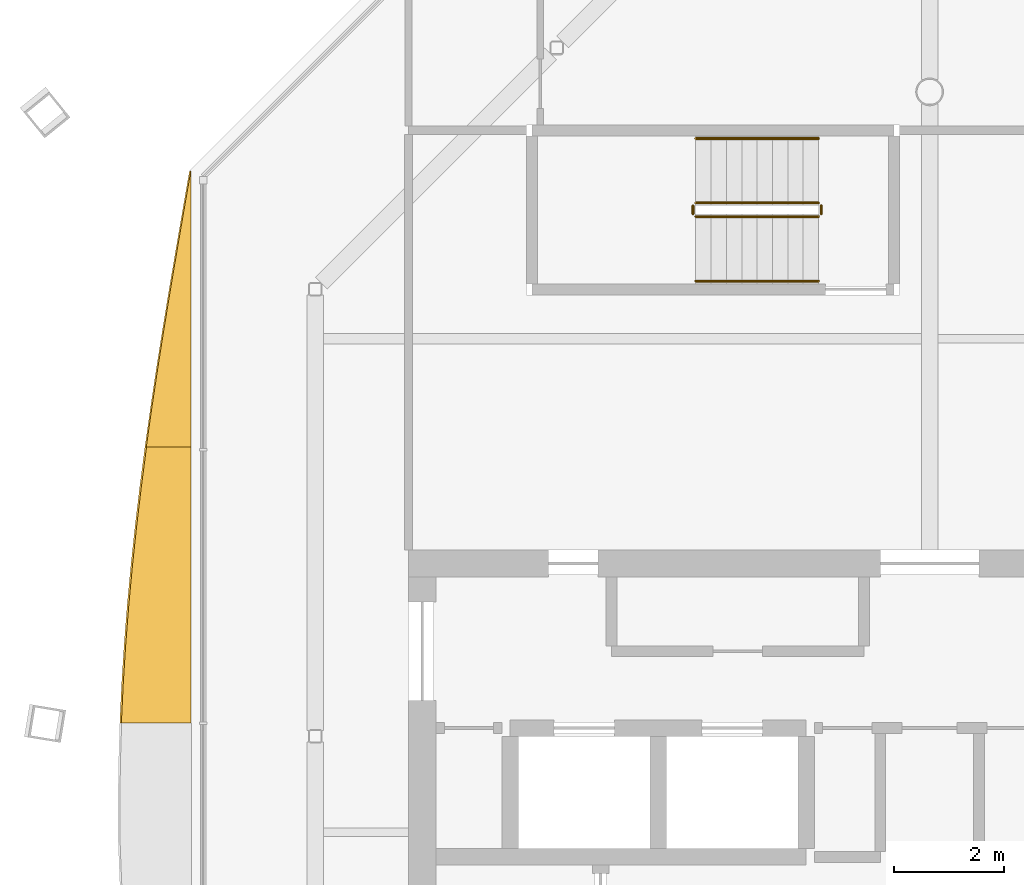
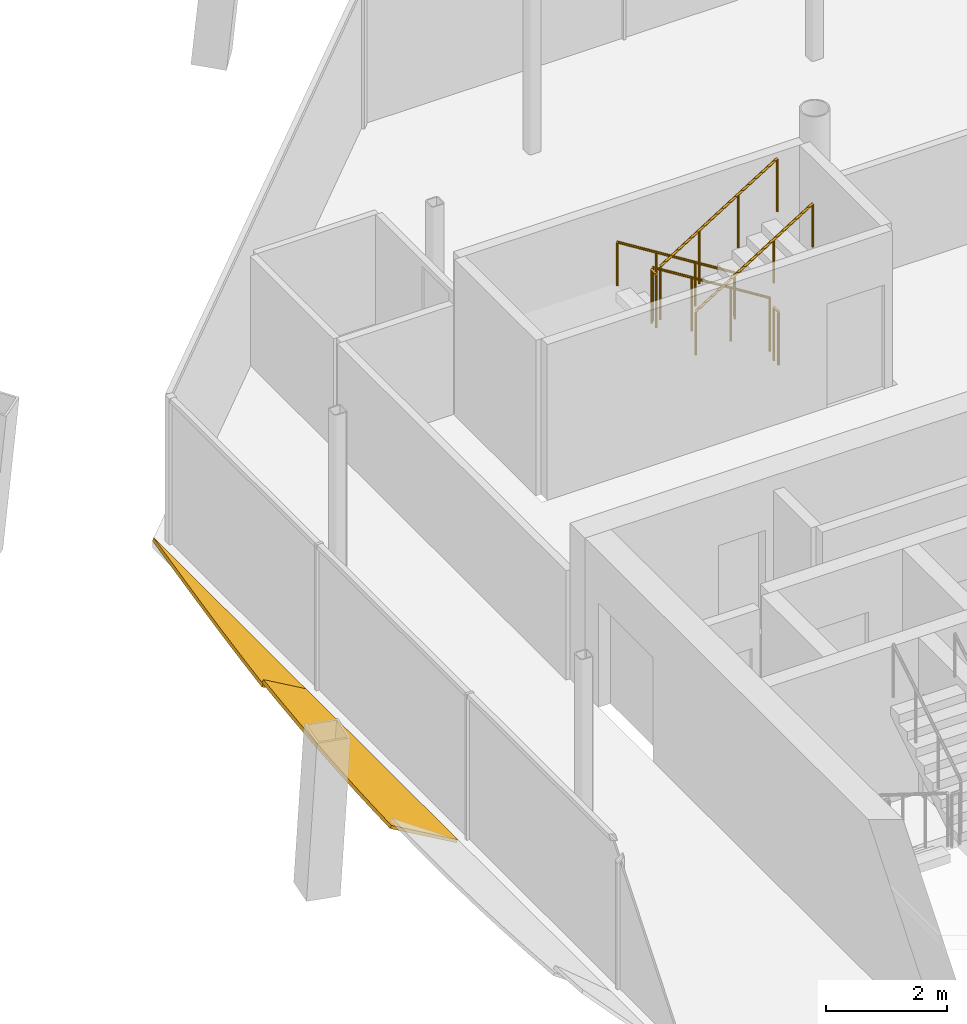
# One storey, part 13 of 14: 6 railings, 2 shading devices.
"""IFC4 building model written with IfcOpenShell, lengths in metres."""

from ifc_helpers import new_model, si_unit, direction, frame, origin, origin_2d, place, context, subcontext, project, spatial, polyline, circle, outline, extrude, material, layer, layer_set, type_object, element, save


model = new_model("IFC4")

# Units and contexts
model_context = context("Model", 3, precision=1e-05, world=origin(), true_north=direction((0.0, 1.0)))
body_context = subcontext(model_context, "Body", "Model", "MODEL_VIEW")
ifc_project = project(units=[si_unit("LENGTHUNIT", "METRE"), si_unit("AREAUNIT", "SQUARE_METRE"), si_unit("VOLUMEUNIT", "CUBIC_METRE"), si_unit("PLANEANGLEUNIT", "RADIAN"), si_unit("MASSUNIT", "GRAM", prefix="KILO")], contexts=[model_context])

# Site, building, storey
site_placement = place(None, origin())
site = spatial("IfcSite", under=ifc_project, at=site_placement, CompositionType="ELEMENT")
building_placement = place(site_placement, origin())
building = spatial("IfcBuilding", under=site, at=building_placement, Name="Tskaro Facet Tower", CompositionType="ELEMENT")
storey_placement = place(building_placement, frame((0.0, 0.0, 272.10009765625)))
storey = spatial("IfcBuildingStorey", under=building, at=storey_placement, Name="L72", CompositionType="ELEMENT", Elevation=272.10009765625)

# Shading devices
ifc_material_1 = material(Name="Bronze anodised aluminium 6063-T6", Category="aluminium")
ifc_layer = layer(ifc_material_1, 0.06005859375, Name="Bronze anodised aluminium 6063-T6")
ifc_layer_set = layer_set([ifc_layer], Name="Bronze anodised aluminium 6063-T6")
shading_device_type = type_object("IfcShadingDeviceType", Name="Bronze sun blade (FN1)", PredefinedType="USERDEFINED", material=ifc_layer_set)
shading_device_1_placement = place(storey_placement, frame((-13.470703125, 7.56103515625, 0.05419921875), z_axis=(0.422741893231, -1.8548245e-05, 0.906250126269), x_axis=(-7.84112e-06, -0.999999999828, -1.680935e-05)))
element("IfcShadingDevice", 1, at=shading_device_1_placement, inside=storey, type_object=shading_device_type, Name="Fin blade west 1", ObjectType="FIN", PredefinedType="USERDEFINED", context=body_context, shape_type="SweptSolid", body=[
    extrude(outline(polyline([(0.0, 0.0), (5.036132811633691, 4.265770418935964e-21), (5.036132813376324, -0.8965077732302201), (4.316650389492923, -0.7842230491041708), (3.597167969186773, -0.6648440505884712), (2.877685545889345, -0.5393441605100712), (2.158203125068475, -0.40893284970037475), (1.4389648426949297, -0.2748047534586038), (0.7194824210722918, -0.1379480901438904), (0.0, 0.0)])), origin(), (0.0, 0.0, -1.0), 0.06005859375),
])
shading_device_2_placement = place(storey_placement, frame((-13.466064453125, 2.52490234375, 0.0517578125), z_axis=(0.500052264432, 2.316055e-06, 0.865995226795), x_axis=(1.158148e-06, -0.999999999997, 2.005692e-06)))
element("IfcShadingDevice", 2, at=shading_device_2_placement, inside=storey, type_object=shading_device_type, Name="Fin blade west 2", ObjectType="FIN", PredefinedType="USERDEFINED", context=body_context, shape_type="SweptSolid", body=[
    extrude(outline(polyline([(0.0, 0.0), (5.035888671861494, -1.0663909059457064e-21), (5.035888672017277, -1.46799177370184), (4.316406249783256, -1.428715023227261), (3.5969238281070917, -1.3763271559229155), (2.877685546765528, -1.3114624456365553), (2.158203124998238, -1.234242975440552), (1.4387207032785576, -1.145758609943317), (0.7192382812479061, -1.0467657060649733), (1.5204190366218542e-10, -0.9382647868703873), (0.0, 0.0)])), origin(), (0.0, 0.0, -1.0), 0.06005859375),
])

# Railings
ifc_material_2 = material(Name="Stainless steel", Category="steel")
railing_type_1 = type_object("IfcRailingType", Name="RL-GUARD-1100", PredefinedType="GUARDRAIL", material=ifc_material_2)
railing_1_placement = place(storey_placement, frame((-2.02490234375, 6.97509765625, 0.1748046875)))
element("IfcRailing", 3, at=railing_1_placement, inside=storey, type_object=railing_type_1, Name="L72 ST-3 stair guard 1", PredefinedType="GUARDRAIL", context=body_context, shape_type="SweptSolid", body=[
    extrude(circle(Radius=0.02392578125, at=origin_2d()), frame((0.0, 0.0, 1.076171875), z_axis=(-0.847972341737, 0.0, 0.530040477369), x_axis=(0.0, -1.0, 0.0)), (0.0, 0.0, 1.0), 2.6416015625),
    extrude(circle(Radius=0.02099609375, at=origin_2d()), origin(), (0.0, 0.0, 1.0), 1.052001953125),
    extrude(circle(Radius=0.02099609375, at=origin_2d()), frame((-0.74658203125, 0.0, 0.466796875)), (0.0, 0.0, 1.0), 1.052001953125),
    extrude(circle(Radius=0.02099609375, at=origin_2d()), frame((-1.493408203125, 0.0, 0.933349609375)), (0.0, 0.0, 1.0), 1.052001953125),
    extrude(circle(Radius=0.02099609375, at=origin_2d()), frame((-2.239990234375, 0.0, 1.400146484375)), (0.0, 0.0, 1.0), 1.052001953125),
])
railing_2_placement = place(storey_placement, frame((-4.31494140625, 6.925048828125, 1.574951171875)))
element("IfcRailing", 4, at=railing_2_placement, inside=storey, type_object=railing_type_1, Name="L72 ST-3 stair guard 2", PredefinedType="GUARDRAIL", context=body_context, shape_type="SweptSolid", body=[
    extrude(circle(Radius=0.02392578125, at=origin_2d()), frame((0.0, 0.0, 1.076171875), z_axis=(0.0, -1.0, 0.0), x_axis=(1.0, 0.0, 0.0)), (0.0, 0.0, 1.0), 0.150146484375),
    extrude(circle(Radius=0.02099609375, at=origin_2d()), origin(), (0.0, 0.0, 1.0), 1.052001953125),
    extrude(circle(Radius=0.02099609375, at=origin_2d()), frame((0.0, -0.150146484375, 0.0)), (0.0, 0.0, 1.0), 1.052001953125),
])
railing_3_placement = place(storey_placement, frame((-4.264892578125, 6.72509765625, 1.75)))
element("IfcRailing", 5, at=railing_3_placement, inside=storey, type_object=railing_type_1, Name="L72 ST-3 stair guard 3", PredefinedType="GUARDRAIL", context=body_context, shape_type="SweptSolid", body=[
    extrude(circle(Radius=0.02392578125, at=origin_2d()), frame((0.0, 0.0, 1.076171875), z_axis=(0.848013881152, 0.0, 0.529974015752), x_axis=(0.0, 1.0, 0.0)), (0.0, 0.0, 1.0), 2.641357421875),
    extrude(circle(Radius=0.02099609375, at=origin_2d()), origin(), (0.0, 0.0, 1.0), 1.052001953125),
    extrude(circle(Radius=0.02099609375, at=origin_2d()), frame((0.74658203125, 0.0, 0.466552734375)), (0.0, 0.0, 1.0), 1.052001953125),
    extrude(circle(Radius=0.02099609375, at=origin_2d()), frame((1.493408203125, 0.0, 0.933349609375)), (0.0, 0.0, 1.0), 1.052001953125),
    extrude(circle(Radius=0.02099609375, at=origin_2d()), frame((2.239990234375, 0.0, 1.39990234375)), (0.0, 0.0, 1.0), 1.052001953125),
])
railing_4_placement = place(storey_placement, frame((-1.97509765625, 6.925048828125, 0.0)))
element("IfcRailing", 6, at=railing_4_placement, inside=storey, type_object=railing_type_1, Name="L72 ST-3 stair guard 4", PredefinedType="GUARDRAIL", context=body_context, shape_type="SweptSolid", body=[
    extrude(circle(Radius=0.02392578125, at=origin_2d()), frame((0.0, 0.0, 1.076171875), z_axis=(0.0, -1.0, 0.0), x_axis=(1.0, 0.0, 0.0)), (0.0, 0.0, 1.0), 0.150146484375),
    extrude(circle(Radius=0.02099609375, at=origin_2d()), origin(), (0.0, 0.0, 1.0), 1.052001953125),
    extrude(circle(Radius=0.02099609375, at=origin_2d()), frame((0.0, -0.150146484375, 0.0)), (0.0, 0.0, 1.0), 1.052001953125),
])
railing_type_2 = type_object("IfcRailingType", Name="RL-HANDRAIL-900", PredefinedType="HANDRAIL", material=ifc_material_2)
railing_5_placement = place(storey_placement, frame((-2.02490234375, 8.14990234375, 0.1748046875)))
element("IfcRailing", 7, at=railing_5_placement, inside=storey, type_object=railing_type_2, Name="L72 ST-3 stair handrail 1", PredefinedType="HANDRAIL", context=body_context, shape_type="SweptSolid", body=[
    extrude(circle(Radius=0.02392578125, at=origin_2d()), frame((0.0, 0.0, 0.8759765625), z_axis=(-0.847972341737, 0.0, 0.530040477369), x_axis=(0.0, -1.0, 0.0)), (0.0, 0.0, 1.0), 2.6416015625),
    extrude(circle(Radius=0.02099609375, at=origin_2d()), origin(), (0.0, 0.0, 1.0), 0.851806640625),
    extrude(circle(Radius=0.02099609375, at=origin_2d()), frame((-0.74658203125, 0.0, 0.466796875)), (0.0, 0.0, 1.0), 0.851806640625),
    extrude(circle(Radius=0.02099609375, at=origin_2d()), frame((-1.493408203125, 0.0, 0.933349609375)), (0.0, 0.0, 1.0), 0.851806640625),
    extrude(circle(Radius=0.02099609375, at=origin_2d()), frame((-2.239990234375, 0.0, 1.400146484375)), (0.0, 0.0, 1.0), 0.851806640625),
])
railing_6_placement = place(storey_placement, frame((-4.264892578125, 5.550048828125, 1.75)))
element("IfcRailing", 8, at=railing_6_placement, inside=storey, type_object=railing_type_2, Name="L72 ST-3 stair handrail 2", PredefinedType="HANDRAIL", context=body_context, shape_type="SweptSolid", body=[
    extrude(circle(Radius=0.02392578125, at=origin_2d()), frame((0.0, 0.0, 0.8759765625), z_axis=(0.848013881152, 0.0, 0.529974015752), x_axis=(0.0, 1.0, 0.0)), (0.0, 0.0, 1.0), 2.641357421875),
    extrude(circle(Radius=0.02099609375, at=origin_2d()), origin(), (0.0, 0.0, 1.0), 0.851806640625),
    extrude(circle(Radius=0.02099609375, at=origin_2d()), frame((0.74658203125, 0.0, 0.466552734375)), (0.0, 0.0, 1.0), 0.851806640625),
    extrude(circle(Radius=0.02099609375, at=origin_2d()), frame((1.493408203125, 0.0, 0.933349609375)), (0.0, 0.0, 1.0), 0.851806640625),
    extrude(circle(Radius=0.02099609375, at=origin_2d()), frame((2.239990234375, 0.0, 1.39990234375)), (0.0, 0.0, 1.0), 0.851806640625),
])

save(model, "model.ifc")
